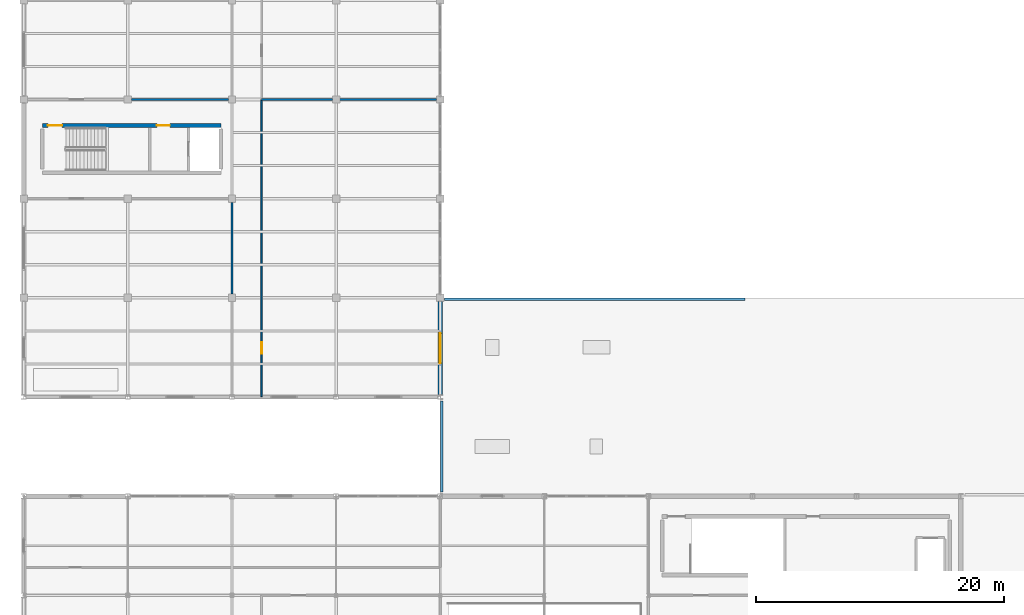
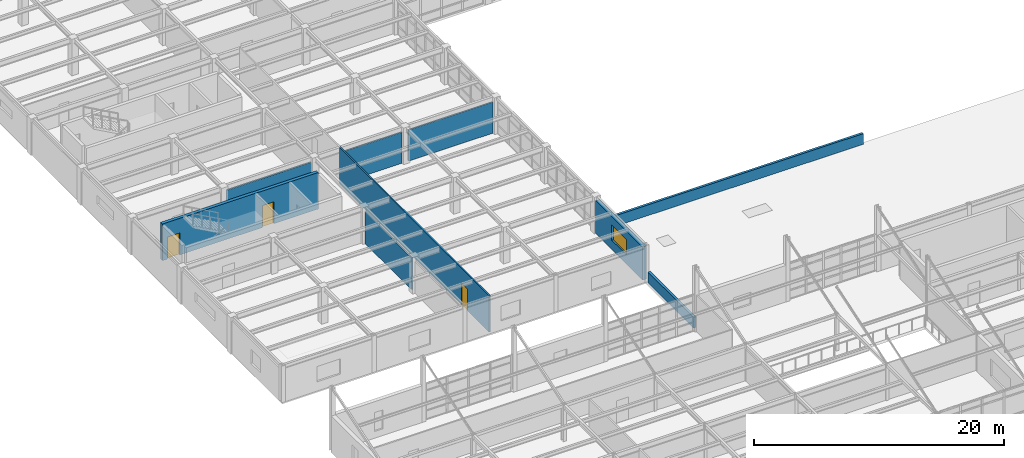
# One storey, part 47 of 96: 9 walls, 3 doors, 1 window, 4 openings.
"""IFC4 building model written with IfcOpenShell, lengths in metres."""

from ifc_helpers import new_model, si_unit, direction, frame, frame_2d, origin, place, context, subcontext, project, spatial, rectangle, extrude, material, layer, layer_set, type_object, element, fill, save


model = new_model("IFC4")

# Units and contexts
model_context = context("Model", 3, precision=1e-05, world=origin(), true_north=direction((0.0, 1.0)))
body_context = subcontext(model_context, "Body", "Model", "MODEL_VIEW")
ifc_project = project(units=[si_unit("LENGTHUNIT", "METRE"), si_unit("AREAUNIT", "SQUARE_METRE"), si_unit("VOLUMEUNIT", "CUBIC_METRE"), si_unit("PLANEANGLEUNIT", "RADIAN"), si_unit("MASSUNIT", "GRAM", prefix="KILO")], contexts=[model_context])

# Site, building, storey
site_placement = place(None, origin())
site = spatial("IfcSite", under=ifc_project, at=site_placement, CompositionType="ELEMENT")
building_placement = place(site_placement, origin())
building = spatial("IfcBuilding", under=site, at=building_placement, Name="Kranzveld Transit Interchange", CompositionType="ELEMENT")
storey_placement = place(building_placement, frame((0.0, 0.0, 9.52001953125)))
storey = spatial("IfcBuildingStorey", under=building, at=storey_placement, Name="L02", CompositionType="ELEMENT", Elevation=9.52001953125)

# Walls
ifc_material_1 = material(Name="Clay masonry unit wall, 20 MPa", Category="masonry")
ifc_layer_1 = layer(ifc_material_1, 0.139892578125)
ifc_layer_set_1 = layer_set([ifc_layer_1], Name="Clay masonry unit wall, 20 MPa")
wall_type_1 = type_object("IfcWallType", Name="Acoustic Stud Partition 140", PredefinedType="PARTITIONING", material=ifc_layer_set_1)
wall_1_placement = place(storey_placement, frame((16.800048828125, 56.2900390625, 0.0), z_axis=(0.0, 0.0, 1.0), x_axis=(0.0, 1.0, 0.0)))
element("IfcWall", 1, at=wall_1_placement, inside=storey, type_object=wall_type_1, Name="L02 Partition IW-L02-L02V5S-E-213-1", PredefinedType="PARTITIONING", context=body_context, shape_type="SweptSolid", body=[
    extrude(rectangle(XDim=7.419921875, YDim=0.139892578125, at=frame_2d((3.7099609375, 0.0))), origin(), (0.0, 0.0, 1.0), 3.106689453125),
])
wall_2_placement = place(storey_placement, frame((8.68994140625, 72.0, 0.0), z_axis=(0.0, 0.0, 1.0), x_axis=(1.0, 0.0, 0.0)))
element("IfcWall", 2, at=wall_2_placement, inside=storey, type_object=wall_type_1, Name="L02 Partition IW-L02-L02V5M-FRT-226-1", PredefinedType="PARTITIONING", context=body_context, shape_type="SweptSolid", body=[
    extrude(rectangle(XDim=7.820068359375, YDim=0.139892578125, at=frame_2d((3.91015625, 0.0))), origin(), (0.0, 0.0, 1.0), 3.036865234375),
])

# Wall, openings, doors
ifc_material_2 = material(Name="Concrete C40/50", Category="concrete")
ifc_layer_2 = layer(ifc_material_2, 0.300048828125)
ifc_layer_set_2 = layer_set([ifc_layer_2], Name="Concrete C40/50")
wall_type_2 = type_object("IfcWallType", Name="Core Shear Wall RC 300 C40/50", PredefinedType="SHEAR", material=ifc_layer_set_2)
wall_3_placement = place(storey_placement, frame((1.5, 69.909912109375, 0.0), z_axis=(0.0, 0.0, 1.0), x_axis=(1.0, 0.0, 0.0)))
wall_3 = element("IfcWall", 3, at=wall_3_placement, inside=storey, type_object=wall_type_2, Name="L02 Operations Core C1 Shear Wall N", PredefinedType="SHEAR", context=body_context, shape_type="SweptSolid", body=[
    extrude(rectangle(XDim=14.39990234375, YDim=0.300048828125, at=frame_2d((7.199951171875, 0.0))), origin(), (0.0, 0.0, 1.0), 3.570068359375),
])
opening_1_placement = place(wall_3_placement, frame((0.449951171875, 0.0, 0.0), z_axis=(0.0, 0.0, 1.0), x_axis=(1.0, 0.0, 0.0)))
opening_1 = element("IfcOpeningElement", 4, at=opening_1_placement, cuts=wall_3, Name="Opening D-ST-C1-L02", PredefinedType="OPENING", context=body_context, shape_type="SweptSolid", body=[
    extrude(rectangle(XDim=1.14990234375, YDim=2.14990234375, at=frame_2d((0.574951171875, 1.074951171875))), frame((0.0, 0.159912109375, 0.0), z_axis=(0.0, -1.0, 0.0), x_axis=(1.0, 0.0, 0.0)), (0.0, 0.0, 1.0), 0.320068359375),
])
opening_2_placement = place(wall_3_placement, frame((9.25, 0.0, 0.0), z_axis=(0.0, 0.0, 1.0), x_axis=(1.0, 0.0, 0.0)))
opening_2 = element("IfcOpeningElement", 5, at=opening_2_placement, cuts=wall_3, Name="Opening D-LB-C1-L02", PredefinedType="OPENING", context=body_context, shape_type="SweptSolid", body=[
    extrude(rectangle(XDim=1.050048828125, YDim=2.14990234375, at=frame_2d((0.52490234375, 1.074951171875))), frame((0.0, 0.159912109375, 0.0), z_axis=(0.0, -1.0, 0.0), x_axis=(1.0, 0.0, 0.0)), (0.0, 0.0, 1.0), 0.320068359375),
])
ifc_material_3 = material(Name="Steel S355JR", Category="steel")
door_type_1 = type_object("IfcDoorType", Name="Lift Lobby Fire Door 1050x2150 FD120S", OperationType="NOTDEFINED", PredefinedType="DOOR", material=ifc_material_3)
door_1_placement = place(opening_2_placement, origin())
door_1 = element("IfcDoor", 6, at=door_1_placement, inside=storey, type_object=door_type_1, Name="L02 Operations Core C1 Lift Protected Lobby Door", OperationType="SINGLE_SWING_RIGHT", OverallHeight=2.14990234375, OverallWidth=1.050048828125, PredefinedType="DOOR", context=body_context, shape_type="SweptSolid", body=[
    extrude(rectangle(XDim=1.050048828125, YDim=2.14990234375, at=frame_2d((0.52490234375, 1.074951171875))), frame((0.0, 0.02490234375, 0.0), z_axis=(0.0, -1.0, 0.0), x_axis=(1.0, 0.0, 0.0)), (0.0, 0.0, 1.0), 0.050048828125),
])
fill(opening_2, door_1)
ifc_material_4 = material(Name="Steel S355JR", Category="steel")
door_type_2 = type_object("IfcDoorType", Name="Stair Core Fire Door 1150x2150 FD120S", OperationType="NOTDEFINED", PredefinedType="DOOR", material=ifc_material_4)
door_2_placement = place(opening_1_placement, origin())
door_2 = element("IfcDoor", 7, at=door_2_placement, inside=storey, type_object=door_type_2, Name="L02 ST-C1 Protected Stair Door", OperationType="SINGLE_SWING_RIGHT", OverallHeight=2.14990234375, OverallWidth=1.14990234375, PredefinedType="DOOR", context=body_context, shape_type="SweptSolid", body=[
    extrude(rectangle(XDim=1.14990234375, YDim=2.14990234375, at=frame_2d((0.574951171875, 1.074951171875))), frame((0.0, 0.02490234375, 0.0), z_axis=(0.0, -1.0, 0.0), x_axis=(1.0, 0.0, 0.0)), (0.0, 0.0, 1.0), 0.050048828125),
])
fill(opening_1, door_2)

# Wall, opening, window
ifc_material_5 = material(Name="Pretoria red-purple clinker clay face brick, 35 MPa", Category="masonry")
ifc_layer_3 = layer(ifc_material_5, 0.360107421875)
ifc_layer_set_3 = layer_set([ifc_layer_3], Name="Pretoria red-purple clinker clay face brick, 35 MPa")
wall_type_3 = type_object("IfcWallType", Name="Exterior Cavity Wall Red Clinker 360", PredefinedType="SOLIDWALL", material=ifc_layer_set_3)
wall_4_placement = place(storey_placement, frame((33.60009765625, 48.187255859375, 0.0), z_axis=(0.0, 0.0, 1.0), x_axis=(0.0, 1.0, 0.0)))
wall_4 = element("IfcWall", 8, at=wall_4_placement, inside=storey, type_object=wall_type_3, Name="L02 Clinker Facade Wall 05/G-05/H", PredefinedType="SOLIDWALL", context=body_context, shape_type="SweptSolid", body=[
    extrude(rectangle(XDim=7.5126953125, YDim=0.360107421875, at=frame_2d((3.75634765625, 0.0))), origin(), (0.0, 0.0, 1.0), 3.218505859375),
])
opening_3_placement = place(wall_4_placement, frame((2.556396484375, 0.0, 0.89990234375), z_axis=(0.0, 0.0, 1.0), x_axis=(1.0, 0.0, 0.0)))
opening_3 = element("IfcOpeningElement", 9, at=opening_3_placement, cuts=wall_4, Name="Opening W-08", PredefinedType="OPENING", context=body_context, shape_type="SweptSolid", body=[
    extrude(rectangle(XDim=2.39990234375, YDim=1.5, at=frame_2d((1.199951171875, 0.75))), frame((0.0, 0.18994140625, 0.0), z_axis=(0.0, -1.0, 0.0), x_axis=(1.0, 0.0, 0.0)), (0.0, 0.0, 1.0), 0.380126953125),
])
ifc_material_6 = material(Name="Solar-control double glazing", Category="glass")
window_type = type_object("IfcWindowType", Name="Window Civic Double 2400x1500", PartitioningType="DOUBLE_PANEL_VERTICAL", PredefinedType="WINDOW", material=ifc_material_6)
window_placement = place(opening_3_placement, origin())
window = element("IfcWindow", 10, at=window_placement, inside=storey, type_object=window_type, Name="L02 Facade Window 05/G", OverallHeight=1.5, OverallWidth=2.39990234375, PartitioningType="DOUBLE_PANEL_VERTICAL", PredefinedType="WINDOW", context=body_context, shape_type="SweptSolid", body=[
    extrude(rectangle(XDim=2.39990234375, YDim=1.5, at=frame_2d((1.199951171875, 0.75))), frame((0.0, 0.030029296875, 0.0), z_axis=(0.0, -1.0, 0.0), x_axis=(1.0, 0.0, 0.0)), (0.0, 0.0, 1.0), 0.06005859375),
])
fill(opening_3, window)

# Wall, opening, door
ifc_material_7 = material(Name="Clay masonry unit wall, 20 MPa", Category="masonry")
ifc_layer_4 = layer(ifc_material_7, 0.125)
ifc_layer_set_4 = layer_set([ifc_layer_4], Name="Clay masonry unit wall, 20 MPa")
wall_type_4 = type_object("IfcWallType", Name="Internal Blockwork Partition 125", PredefinedType="PARTITIONING", material=ifc_layer_set_4)
wall_5_placement = place(storey_placement, frame((19.199951171875, 48.0400390625, 0.0), z_axis=(0.0, 0.0, 1.0), x_axis=(0.0, 1.0, 0.0)))
wall_5 = element("IfcWall", 11, at=wall_5_placement, inside=storey, type_object=wall_type_4, Name="L02 Partition IW-L02-L02V5E-FRT-222-0", PredefinedType="PARTITIONING", context=body_context, shape_type="SweptSolid", body=[
    extrude(rectangle(XDim=23.9599609375, YDim=0.125, at=frame_2d((11.97998046875, 0.0))), origin(), (0.0, 0.0, 1.0), 3.570068359375),
])
opening_4_placement = place(wall_5_placement, frame((4.3798828125, 0.0, 0.0), z_axis=(0.0, 0.0, 1.0), x_axis=(-1.0, 0.0, 0.0)))
opening_4 = element("IfcOpeningElement", 12, at=opening_4_placement, cuts=wall_5, Name="Opening D-222", PredefinedType="OPENING", context=body_context, shape_type="SweptSolid", body=[
    extrude(rectangle(XDim=0.919921875, YDim=2.1201171875, at=frame_2d((0.4599609375, 1.06005859375))), frame((0.0, 0.072509765625, 0.0), z_axis=(0.0, -1.0, 0.0), x_axis=(1.0, 0.0, 0.0)), (0.0, 0.0, 1.0), 0.14501953125),
])
ifc_material_8 = material(Name="Bronze-anodised thermally broken aluminium", Category="aluminium")
door_type_3 = type_object("IfcDoorType", Name="Consulting Room Door 920x2120", OperationType="NOTDEFINED", PredefinedType="DOOR", material=ifc_material_8)
door_3_placement = place(opening_4_placement, origin())
door_3 = element("IfcDoor", 13, at=door_3_placement, inside=storey, type_object=door_type_3, Name="L02 Interior Door D-222", OperationType="SINGLE_SWING_LEFT", OverallHeight=2.1201171875, OverallWidth=0.919921875, PredefinedType="DOOR", context=body_context, shape_type="SweptSolid", body=[
    extrude(rectangle(XDim=0.919921875, YDim=2.1201171875, at=frame_2d((0.4599609375, 1.06005859375))), frame((0.0, 0.02490234375, 0.0), z_axis=(0.0, -1.0, 0.0), x_axis=(1.0, 0.0, 0.0)), (0.0, 0.0, 1.0), 0.050048828125),
])
fill(opening_4, door_3)

# Walls
wall_6_placement = place(storey_placement, frame((19.199951171875, 72.0, 0.0), z_axis=(0.0, 0.0, 1.0), x_axis=(1.0, 0.0, 0.0)))
element("IfcWall", 14, at=wall_6_placement, inside=storey, type_object=wall_type_4, Name="L02 Partition IW-L02-L02V5E-N-222-0", PredefinedType="PARTITIONING", context=body_context, shape_type="SweptSolid", body=[
    extrude(rectangle(XDim=5.7099609375, YDim=0.125, at=frame_2d((2.85498046875, 0.0))), origin(), (0.0, 0.0, 1.0), 3.036865234375),
])
wall_7_placement = place(storey_placement, frame((25.489990234375, 72.0, 0.0), z_axis=(0.0, 0.0, 1.0), x_axis=(1.0, 0.0, 0.0)))
element("IfcWall", 15, at=wall_7_placement, inside=storey, type_object=wall_type_4, Name="L02 Partition IW-L02-L02V5E-N-222-1", PredefinedType="PARTITIONING", context=body_context, shape_type="SweptSolid", body=[
    extrude(rectangle(XDim=7.820068359375, YDim=0.125, at=frame_2d((3.91015625, 0.0))), origin(), (0.0, 0.0, 1.0), 3.036865234375),
])
ifc_material_9 = material(Name="Pretoria red-purple clinker clay face brick, 35 MPa", Category="masonry")
ifc_layer_5 = layer(ifc_material_9, 0.22998046875)
ifc_layer_set_5 = layer_set([ifc_layer_5], Name="Pretoria red-purple clinker clay face brick, 35 MPa")
wall_type_5 = type_object("IfcWallType", Name="Roof Parapet Wall Clinker Brick 230", PredefinedType="PARAPET", material=ifc_layer_set_5)
wall_8_placement = place(storey_placement, frame((33.719970703125, 40.35009765625, 0.0), z_axis=(0.0, 0.0, 1.0), x_axis=(0.0, 1.0, 0.0)))
element("IfcWall", 16, at=wall_8_placement, inside=storey, type_object=wall_type_5, Name="L02 Roof Parapet 012", PredefinedType="PARAPET", context=body_context, shape_type="SweptSolid", body=[
    extrude(rectangle(XDim=7.321533203125, YDim=0.22998046875, at=frame_2d((3.66064453125, 0.0))), origin(), (0.0, 0.0, 1.0), 1.050048828125),
])
ifc_material_10 = material(Name="Dark Pretoria clinker clay plinth brick, 40 MPa", Category="masonry")
ifc_layer_6 = layer(ifc_material_10, 0.215087890625)
ifc_layer_set_6 = layer_set([ifc_layer_6], Name="Dark Pretoria clinker clay plinth brick, 40 MPa")
wall_type_6 = type_object("IfcWallType", Name="Terrace Parapet Upstand Brick 215", PredefinedType="PARAPET", material=ifc_layer_set_6)
wall_9_placement = place(storey_placement, frame((33.949951171875, 55.8798828125, 0.0), z_axis=(0.0, 0.0, 1.0), x_axis=(1.0, 0.0, 0.0)))
element("IfcWall", 17, at=wall_9_placement, inside=storey, type_object=wall_type_6, Name="L02 Roof Parapet 013", PredefinedType="PARAPET", context=body_context, shape_type="SweptSolid", body=[
    extrude(rectangle(XDim=24.25, YDim=0.215087890625, at=frame_2d((12.125, 0.0))), origin(), (0.0, 0.0, 1.0), 1.050048828125),
])

save(model, "model.ifc")
